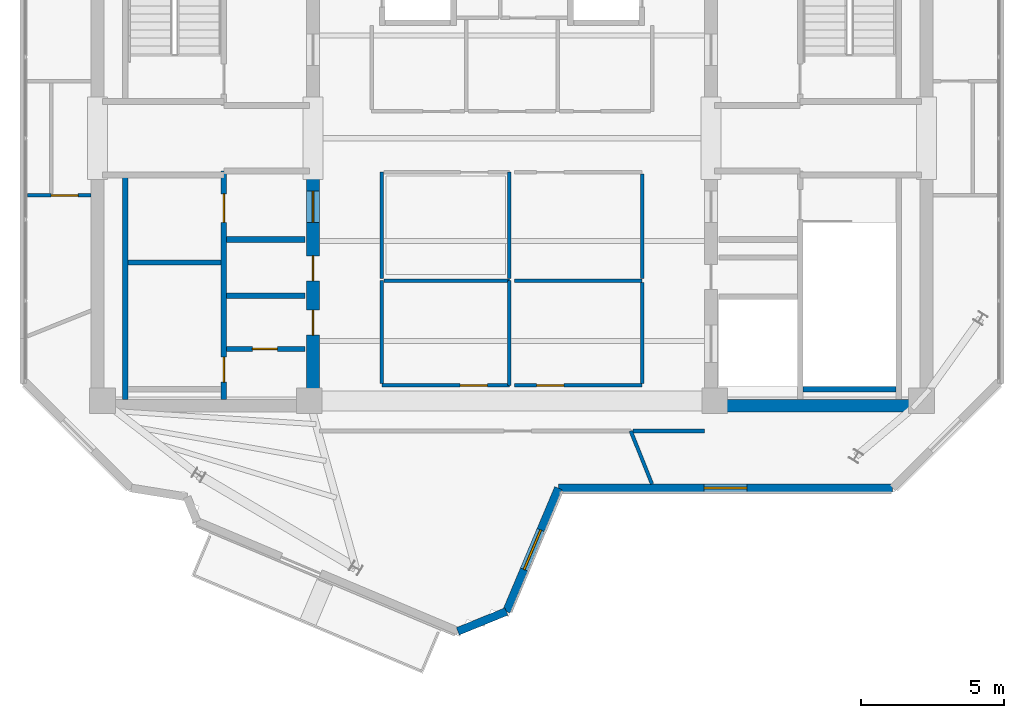
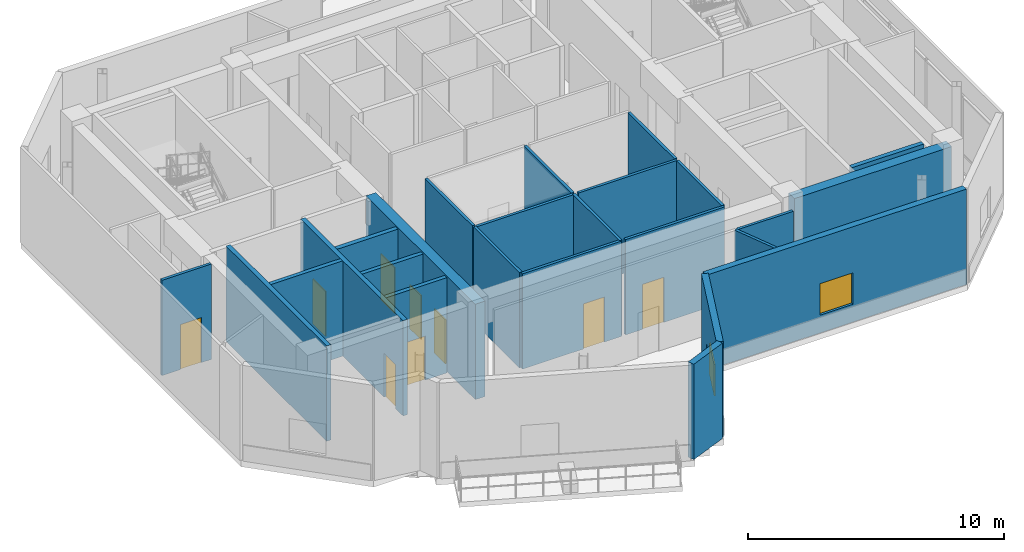
# One storey, part 6 of 11: 25 walls, 9 doors, 2 windows, 11 openings.
"""IFC4 building model written with IfcOpenShell, lengths in metres."""

from ifc_helpers import new_model, si_unit, direction, frame, frame_2d, origin, place, context, subcontext, project, spatial, rectangle, extrude, source, transform, mapped, material, layer, layer_set, type_object, element, fill, save


model = new_model("IFC4")

# Units and contexts
model_context = context("Model", 3, precision=1e-05, world=origin(), true_north=direction((0.0, 1.0)))
body_context = subcontext(model_context, "Body", "Model", "MODEL_VIEW")
ifc_project = project(units=[si_unit("LENGTHUNIT", "METRE"), si_unit("AREAUNIT", "SQUARE_METRE"), si_unit("VOLUMEUNIT", "CUBIC_METRE"), si_unit("PLANEANGLEUNIT", "RADIAN"), si_unit("MASSUNIT", "GRAM", prefix="KILO")], contexts=[model_context])

# Site, building, storey
site_placement = place(None, origin())
site = spatial("IfcSite", under=ifc_project, at=site_placement, CompositionType="ELEMENT")
building_placement = place(site_placement, origin())
building = spatial("IfcBuilding", under=site, at=building_placement, Name="Zahravan Cultural Tower", CompositionType="ELEMENT")
storey_placement = place(building_placement, frame((0.0, 0.0, 365.85009765625)))
storey = spatial("IfcBuildingStorey", under=building, at=storey_placement, Name="L89", CompositionType="ELEMENT", Elevation=365.85009765625)

# Wall, openings, doors
ifc_material_1 = material(Name="Concrete C50/60", Category="concrete")
ifc_layer_1 = layer(ifc_material_1, 0.449951171875)
ifc_layer_set_1 = layer_set([ifc_layer_1], Name="Concrete C50/60")
wall_type_1 = type_object("IfcWallType", Name="CW-SHEAR-450-C50", PredefinedType="SHEAR", material=ifc_layer_set_1)
wall_1_placement = place(storey_placement, frame((29.02490234375, 17.39990234375, 0.0), z_axis=(0.0, 0.0, 1.0), x_axis=(0.0, 1.0, 0.0)))
wall_1 = element("IfcWall", 1, at=wall_1_placement, inside=storey, type_object=wall_type_1, Name="L89 Core Shear Wall CW-W-ES-L89", PredefinedType="SHEAR", context=body_context, shape_type="SweptSolid", body=[
    extrude(rectangle(XDim=8.550048828125, YDim=0.449951171875, at=frame_2d((4.27490234375, 0.0))), origin(), (0.0, 0.0, 1.0), 4.5498046875),
])
opening_1_placement = place(wall_1_placement, frame((6.64990234375, 0.0, 0.0)))
opening_1 = element("IfcOpeningElement", 2, at=opening_1_placement, cuts=wall_1, Name="Opening D-L89-08", PredefinedType="OPENING", context=body_context, shape_type="SweptSolid", body=[
    extrude(rectangle(XDim=1.10009765625, YDim=2.199951171875, at=frame_2d((0.550048828125, 1.10009765625))), frame((0.0, 0.23486328125, 0.0), z_axis=(0.0, -1.0, 0.0), x_axis=(1.0, 0.0, 0.0)), (0.0, 0.0, 1.0), 0.469970703125),
])
opening_2_placement = place(wall_1_placement, frame((2.699951171875, 0.0, 0.0)))
opening_2 = element("IfcOpeningElement", 3, at=opening_2_placement, cuts=wall_1, Name="Opening D-L89-11", PredefinedType="OPENING", context=body_context, shape_type="SweptSolid", body=[
    extrude(rectangle(XDim=0.8798828125, YDim=2.10009765625, at=frame_2d((0.43994140625, 1.050048828125))), frame((0.0, 0.23486328125, 0.0), z_axis=(0.0, -1.0, 0.0), x_axis=(1.0, 0.0, 0.0)), (0.0, 0.0, 1.0), 0.469970703125),
])
opening_3_placement = place(wall_1_placement, frame((4.60009765625, 0.0, 0.0)))
opening_3 = element("IfcOpeningElement", 4, at=opening_3_placement, cuts=wall_1, Name="Opening D-L89-12", PredefinedType="OPENING", context=body_context, shape_type="SweptSolid", body=[
    extrude(rectangle(XDim=0.8798828125, YDim=2.10009765625, at=frame_2d((0.43994140625, 1.050048828125))), frame((0.0, 0.23486328125, 0.0), z_axis=(0.0, -1.0, 0.0), x_axis=(1.0, 0.0, 0.0)), (0.0, 0.0, 1.0), 0.469970703125),
])
ifc_material_2 = material(Name="Steel ASTM A572 Grade 50", Category="steel")
door_type_1 = type_object("IfcDoorType", Name="DR-LOBBY-1100", OperationType="NOTDEFINED", PredefinedType="DOOR", material=ifc_material_2)
shared_shape_1 = source(origin(), body_context, "Body", "SweptSolid", [
    extrude(rectangle(XDim=1.10009765625, YDim=2.199951171875, at=frame_2d((0.550048828125, 1.10009765625))), frame((0.0, 0.02490234375, 0.0), z_axis=(0.0, -1.0, 0.0), x_axis=(1.0, 0.0, 0.0)), (0.0, 0.0, 1.0), 0.050048828125),
])
door_1_placement = place(opening_1_placement, origin())
door_1 = element("IfcDoor", 5, at=door_1_placement, inside=storey, type_object=door_type_1, Name="L89 Door D-L89-08", OperationType="SINGLE_SWING_LEFT", OverallHeight=2.199951171875, OverallWidth=1.10009765625, PredefinedType="DOOR", context=body_context, shape_type="MappedRepresentation", body=[
    mapped(shared_shape_1, transform((0.0, 0.0, 0.0), x_axis=(1.0, 0.0, 0.0), y_axis=(0.0, 1.0, 0.0), z_axis=(0.0, 0.0, 1.0), scale=1.0)),
])
fill(opening_1, door_1)
door_type_2 = type_object("IfcDoorType", Name="DR-SVC-880", OperationType="NOTDEFINED", PredefinedType="DOOR", material=ifc_material_2)
shared_shape_2 = source(origin(), body_context, "Body", "SweptSolid", [
    extrude(rectangle(XDim=0.8798828125, YDim=2.10009765625, at=frame_2d((0.43994140625, 1.050048828125))), frame((0.0, 0.02490234375, 0.0), z_axis=(0.0, -1.0, 0.0), x_axis=(1.0, 0.0, 0.0)), (0.0, 0.0, 1.0), 0.050048828125),
])
door_2_placement = place(opening_2_placement, origin())
door_2 = element("IfcDoor", 6, at=door_2_placement, inside=storey, type_object=door_type_2, Name="L89 Door D-L89-11", OperationType="SINGLE_SWING_RIGHT", OverallHeight=2.10009765625, OverallWidth=0.8798828125, PredefinedType="DOOR", context=body_context, shape_type="MappedRepresentation", body=[
    mapped(shared_shape_2, transform((0.0, 0.0, 0.0), x_axis=(1.0, 0.0, 0.0), y_axis=(0.0, 1.0, 0.0), z_axis=(0.0, 0.0, 1.0), scale=1.0)),
])
fill(opening_2, door_2)
door_3_placement = place(opening_3_placement, origin())
door_3 = element("IfcDoor", 7, at=door_3_placement, inside=storey, type_object=door_type_2, Name="L89 Door D-L89-12", OperationType="SINGLE_SWING_LEFT", OverallHeight=2.10009765625, OverallWidth=0.8798828125, PredefinedType="DOOR", context=body_context, shape_type="MappedRepresentation", body=[
    mapped(shared_shape_2, transform((0.0, 0.0, 0.0), x_axis=(1.0, 0.0, 0.0), y_axis=(0.0, 1.0, 0.0), z_axis=(0.0, 0.0, 1.0), scale=1.0)),
])
fill(opening_3, door_3)

# Wall, opening, window
ifc_material_3 = material(Name="Precast concrete C40/50", Category="concrete")
ifc_layer_2 = layer(ifc_material_3, 0.280029296875)
ifc_layer_set_2 = layer_set([ifc_layer_2], Name="Precast concrete C40/50")
wall_type_2 = type_object("IfcWallType", Name="EW-TC-280", PredefinedType="SOLIDWALL", material=ifc_layer_set_2)
wall_2_placement = place(storey_placement, frame((49.342041015625, 14.739990234375, 0.0), z_axis=(0.0, 0.0, 1.0), x_axis=(-1.0, 0.0, 0.0)))
wall_2 = element("IfcWall", 8, at=wall_2_placement, inside=storey, type_object=wall_type_2, Name="L89 Exterior Masonry Frame Wall 08", PredefinedType="SOLIDWALL", context=body_context, shape_type="SweptSolid", body=[
    extrude(rectangle(XDim=11.715087890625, YDim=0.280029296875, at=frame_2d((5.857421875, 0.0))), origin(), (0.0, 0.0, 1.0), 4.5498046875),
])
opening_4_placement = place(wall_2_placement, frame((5.10791015625, 0.0, 0.85009765625)))
opening_4 = element("IfcOpeningElement", 9, at=opening_4_placement, cuts=wall_2, Name="Opening WN-03", PredefinedType="OPENING", context=body_context, shape_type="SweptSolid", body=[
    extrude(rectangle(XDim=1.5, YDim=1.5, at=frame_2d((0.75, 0.75))), frame((0.0, 0.14990234375, 0.0), z_axis=(0.0, -1.0, 0.0), x_axis=(1.0, 0.0, 0.0)), (0.0, 0.0, 1.0), 0.300048828125),
])
ifc_material_4 = material(Name="Low-E solar-control double glazing", Category="glass")
window_type = type_object("IfcWindowType", Name="WN-REC-1500X1500", PartitioningType="SINGLE_PANEL", PredefinedType="WINDOW", material=ifc_material_4)
shared_shape_3 = source(origin(), body_context, "Body", "SweptSolid", [
    extrude(rectangle(XDim=1.5, YDim=1.5, at=frame_2d((0.75, 0.75))), frame((0.0, 0.030029296875, 0.0), z_axis=(0.0, -1.0, 0.0), x_axis=(1.0, 0.0, 0.0)), (0.0, 0.0, 1.0), 0.06005859375),
])
window_1_placement = place(opening_4_placement, origin())
window_1 = element("IfcWindow", 10, at=window_1_placement, inside=storey, type_object=window_type, Name="L89 Recessed Solar Window 04", OverallHeight=1.5, OverallWidth=1.5, PartitioningType="SINGLE_PANEL", PredefinedType="WINDOW", context=body_context, shape_type="MappedRepresentation", body=[
    mapped(shared_shape_3, transform((0.0, 0.0, 0.0), x_axis=(1.0, 0.0, 0.0), y_axis=(0.0, 1.0, 0.0), z_axis=(0.0, 0.0, 1.0), scale=1.0)),
])
fill(opening_4, window_1)

wall_3_placement = place(storey_placement, frame((37.626953125, 14.739990234375, 0.0), z_axis=(0.0, 0.0, 1.0), x_axis=(-0.388331368366, -0.921519803554, 0.0)))
wall_3 = element("IfcWall", 11, at=wall_3_placement, inside=storey, type_object=wall_type_2, Name="L89 Exterior Masonry Frame Wall 09", PredefinedType="SOLIDWALL", context=body_context, shape_type="SweptSolid", body=[
    extrude(rectangle(XDim=4.69384765625, YDim=0.280029296875, at=frame_2d((2.346923828125, 0.0))), origin(), (0.0, 0.0, 1.0), 4.5498046875),
])
opening_5_placement = place(wall_3_placement, frame((1.596923828125, 0.0, 0.85009765625)))
opening_5 = element("IfcOpeningElement", 12, at=opening_5_placement, cuts=wall_3, Name="Opening WN-03", PredefinedType="OPENING", context=body_context, shape_type="SweptSolid", body=[
    extrude(rectangle(XDim=1.5, YDim=1.5, at=frame_2d((0.75, 0.75))), frame((0.0, 0.14990234375, 0.0), z_axis=(0.0, -1.0, 0.0), x_axis=(1.0, 0.0, 0.0)), (0.0, 0.0, 1.0), 0.300048828125),
])
window_2_placement = place(opening_5_placement, origin())
window_2 = element("IfcWindow", 13, at=window_2_placement, inside=storey, type_object=window_type, Name="L89 Recessed Solar Window 05", OverallHeight=1.5, OverallWidth=1.5, PartitioningType="SINGLE_PANEL", PredefinedType="WINDOW", context=body_context, shape_type="MappedRepresentation", body=[
    mapped(shared_shape_3, transform((0.0, 0.0, 0.0), x_axis=(1.0, 0.0, 0.0), y_axis=(0.0, 1.0, 0.0), z_axis=(0.0, 0.0, 1.0), scale=1.0)),
])
fill(opening_5, window_2)

# Wall, opening, door
ifc_material_5 = material(Name="Gypsum plasterboard partition")
ifc_layer_3 = layer(ifc_material_5, 0.179931640625)
ifc_layer_set_3 = layer_set([ifc_layer_3], Name="Gypsum plasterboard partition")
wall_type_3 = type_object("IfcWallType", Name="W-COMP-180", PredefinedType="PARTITIONING", material=ifc_layer_set_3)
wall_4_placement = place(storey_placement, frame((26.0, 19.6201171875, 0.0), z_axis=(0.0, 0.0, 1.0), x_axis=(1.0, 0.0, 0.0)))
wall_4 = element("IfcWall", 14, at=wall_4_placement, inside=storey, type_object=wall_type_3, Name="L89 Interior Wall 027", PredefinedType="PARTITIONING", context=body_context, shape_type="SweptSolid", body=[
    extrude(rectangle(XDim=2.75, YDim=0.179931640625, at=frame_2d((1.375, 0.0))), origin(), (0.0, 0.0, 1.0), 4.5498046875),
])
opening_6_placement = place(wall_4_placement, frame((0.89990234375, 0.0, 0.0)))
opening_6 = element("IfcOpeningElement", 15, at=opening_6_placement, cuts=wall_4, Name="Opening D-L89-10", PredefinedType="OPENING", context=body_context, shape_type="SweptSolid", body=[
    extrude(rectangle(XDim=0.8798828125, YDim=2.10009765625, at=frame_2d((0.43994140625, 1.050048828125))), frame((0.0, 0.099853515625, 0.0), z_axis=(0.0, -1.0, 0.0), x_axis=(1.0, 0.0, 0.0)), (0.0, 0.0, 1.0), 0.199951171875),
])
door_4_placement = place(opening_6_placement, origin())
door_4 = element("IfcDoor", 16, at=door_4_placement, inside=storey, type_object=door_type_2, Name="L89 Door D-L89-10", OperationType="SINGLE_SWING_LEFT", OverallHeight=2.10009765625, OverallWidth=0.8798828125, PredefinedType="DOOR", context=body_context, shape_type="MappedRepresentation", body=[
    mapped(shared_shape_2, transform((0.0, 0.0, 0.0), x_axis=(1.0, 0.0, 0.0), y_axis=(0.0, 1.0, 0.0), z_axis=(0.0, 0.0, 1.0), scale=1.0)),
])
fill(opening_6, door_4)

ifc_layer_4 = layer(ifc_material_5, 0.125)
ifc_layer_set_4 = layer_set([ifc_layer_4], Name="Gypsum plasterboard partition")
wall_type_4 = type_object("IfcWallType", Name="W-PART-125", PredefinedType="PARTITIONING", material=ifc_layer_set_4)
wall_5_placement = place(storey_placement, frame((35.909912109375, 18.340087890625, 0.0), z_axis=(0.0, 0.0, 1.0), x_axis=(-1.0, 0.0, 0.0)))
wall_5 = element("IfcWall", 17, at=wall_5_placement, inside=storey, type_object=wall_type_4, Name="L89 Interior Wall 058", PredefinedType="PARTITIONING", context=body_context, shape_type="SweptSolid", body=[
    extrude(rectangle(XDim=4.469970703125, YDim=0.125, at=frame_2d((2.23486328125, 0.0))), origin(), (0.0, 0.0, 1.0), 4.5498046875),
])
opening_7_placement = place(wall_5_placement, frame((0.7744140625, 0.0, 0.0)))
opening_7 = element("IfcOpeningElement", 18, at=opening_7_placement, cuts=wall_5, Name="Opening D-L89-14", PredefinedType="OPENING", context=body_context, shape_type="SweptSolid", body=[
    extrude(rectangle(XDim=0.949951171875, YDim=2.14990234375, at=frame_2d((0.47509765625, 1.074951171875))), frame((0.0, 0.072509765625, 0.0), z_axis=(0.0, -1.0, 0.0), x_axis=(1.0, 0.0, 0.0)), (0.0, 0.0, 1.0), 0.14501953125),
])
ifc_material_6 = material(Name="Anodised bronze-aluminium mullion", Category="aluminium")
door_type_3 = type_object("IfcDoorType", Name="DR-ROOM-950", OperationType="NOTDEFINED", PredefinedType="DOOR", material=ifc_material_6)
shared_shape_4 = source(origin(), body_context, "Body", "SweptSolid", [
    extrude(rectangle(XDim=0.949951171875, YDim=2.14990234375, at=frame_2d((0.47509765625, 1.074951171875))), frame((0.0, 0.02490234375, 0.0), z_axis=(0.0, -1.0, 0.0), x_axis=(1.0, 0.0, 0.0)), (0.0, 0.0, 1.0), 0.050048828125),
])
door_5_placement = place(opening_7_placement, origin())
door_5 = element("IfcDoor", 19, at=door_5_placement, inside=storey, type_object=door_type_3, Name="L89 Door D-L89-14", OperationType="SINGLE_SWING_LEFT", OverallHeight=2.14990234375, OverallWidth=0.949951171875, PredefinedType="DOOR", context=body_context, shape_type="MappedRepresentation", body=[
    mapped(shared_shape_4, transform((0.0, 0.0, 0.0), x_axis=(1.0, 0.0, 0.0), y_axis=(0.0, 1.0, 0.0), z_axis=(0.0, 0.0, 1.0), scale=1.0)),
])
fill(opening_7, door_5)

wall_6_placement = place(storey_placement, frame((40.56005859375, 18.340087890625, 0.0), z_axis=(0.0, 0.0, 1.0), x_axis=(-1.0, 0.0, 0.0)))
wall_6 = element("IfcWall", 20, at=wall_6_placement, inside=storey, type_object=wall_type_4, Name="L89 Interior Wall 062", PredefinedType="PARTITIONING", context=body_context, shape_type="SweptSolid", body=[
    extrude(rectangle(XDim=4.469970703125, YDim=0.125, at=frame_2d((2.23486328125, 0.0))), origin(), (0.0, 0.0, 1.0), 4.5498046875),
])
opening_8_placement = place(wall_6_placement, frame((2.74560546875, 0.0, 0.0)))
opening_8 = element("IfcOpeningElement", 21, at=opening_8_placement, cuts=wall_6, Name="Opening D-L89-16", PredefinedType="OPENING", context=body_context, shape_type="SweptSolid", body=[
    extrude(rectangle(XDim=0.949951171875, YDim=2.14990234375, at=frame_2d((0.47509765625, 1.074951171875))), frame((0.0, 0.072509765625, 0.0), z_axis=(0.0, -1.0, 0.0), x_axis=(1.0, 0.0, 0.0)), (0.0, 0.0, 1.0), 0.14501953125),
])
door_6_placement = place(opening_8_placement, origin())
door_6 = element("IfcDoor", 22, at=door_6_placement, inside=storey, type_object=door_type_3, Name="L89 Door D-L89-16", OperationType="SINGLE_SWING_LEFT", OverallHeight=2.14990234375, OverallWidth=0.949951171875, PredefinedType="DOOR", context=body_context, shape_type="MappedRepresentation", body=[
    mapped(shared_shape_4, transform((0.0, 0.0, 0.0), x_axis=(1.0, 0.0, 0.0), y_axis=(0.0, 1.0, 0.0), z_axis=(0.0, 0.0, 1.0), scale=1.0)),
])
fill(opening_8, door_6)

wall_7_placement = place(storey_placement, frame((19.014892578125, 25.001708984375, 0.0), z_axis=(0.0, 0.0, 1.0), x_axis=(0.999999706405, -0.0007662833, 0.0)))
wall_7 = element("IfcWall", 23, at=wall_7_placement, inside=storey, type_object=wall_type_4, Name="L89 Interior Wall 070", PredefinedType="PARTITIONING", context=body_context, shape_type="SweptSolid", body=[
    extrude(rectangle(XDim=2.230224609375, YDim=0.125, at=frame_2d((1.115234375, 0.0))), origin(), (0.0, 0.0, 1.0), 4.5498046875),
])
opening_9_placement = place(wall_7_placement, frame((0.83203125, 0.0, 0.0)))
opening_9 = element("IfcOpeningElement", 24, at=opening_9_placement, cuts=wall_7, Name="Opening D-L89-25", PredefinedType="OPENING", context=body_context, shape_type="SweptSolid", body=[
    extrude(rectangle(XDim=0.949951171875, YDim=2.14990234375, at=frame_2d((0.47509765625, 1.074951171875))), frame((0.0, 0.072509765625, 0.0), z_axis=(0.0, -1.0, 0.0), x_axis=(1.0, 0.0, 0.0)), (0.0, 0.0, 1.0), 0.14501953125),
])
door_7_placement = place(opening_9_placement, origin())
door_7 = element("IfcDoor", 25, at=door_7_placement, inside=storey, type_object=door_type_3, Name="L89 Door D-L89-25", OperationType="SINGLE_SWING_RIGHT", OverallHeight=2.14990234375, OverallWidth=0.949951171875, PredefinedType="DOOR", context=body_context, shape_type="MappedRepresentation", body=[
    mapped(shared_shape_4, transform((0.0, 0.0, 0.0), x_axis=(1.0, 0.0, 0.0), y_axis=(0.0, 1.0, 0.0), z_axis=(0.0, 0.0, 1.0), scale=1.0)),
])
fill(opening_9, door_7)

# Wall, openings, doors
ifc_material_7 = material(Name="Concrete C45/55", Category="concrete")
ifc_layer_5 = layer(ifc_material_7, 0.199951171875)
ifc_layer_set_5 = layer_set([ifc_layer_5], Name="Concrete C45/55")
wall_type_5 = type_object("IfcWallType", Name="W-SHAFT-200", PredefinedType="SOLIDWALL", material=ifc_layer_set_5)
wall_8_placement = place(storey_placement, frame((25.89990234375, 17.85009765625, 0.0), z_axis=(0.0, 0.0, 1.0), x_axis=(0.0, 1.0, 0.0)))
wall_8 = element("IfcWall", 26, at=wall_8_placement, inside=storey, type_object=wall_type_5, Name="L89 Interior Wall 005", PredefinedType="SOLIDWALL", context=body_context, shape_type="SweptSolid", body=[
    extrude(rectangle(XDim=8.0, YDim=0.199951171875, at=frame_2d((4.0, 0.0))), origin(), (0.0, 0.0, 1.0), 4.5498046875),
])
opening_10_placement = place(wall_8_placement, frame((6.199951171875, 0.0, 0.0)))
opening_10 = element("IfcOpeningElement", 27, at=opening_10_placement, cuts=wall_8, Name="Opening D-L89-04", PredefinedType="OPENING", context=body_context, shape_type="SweptSolid", body=[
    extrude(rectangle(XDim=1.0, YDim=2.14990234375, at=frame_2d((0.5, 1.074951171875))), frame((0.0, 0.10986328125, 0.0), z_axis=(0.0, -1.0, 0.0), x_axis=(1.0, 0.0, 0.0)), (0.0, 0.0, 1.0), 0.219970703125),
])
opening_11_placement = place(wall_8_placement, frame((0.60009765625, 0.0, 0.0)))
opening_11 = element("IfcOpeningElement", 28, at=opening_11_placement, cuts=wall_8, Name="Opening D-L89-05", PredefinedType="OPENING", context=body_context, shape_type="SweptSolid", body=[
    extrude(rectangle(XDim=0.8798828125, YDim=2.10009765625, at=frame_2d((0.43994140625, 1.050048828125))), frame((0.0, 0.10986328125, 0.0), z_axis=(0.0, -1.0, 0.0), x_axis=(1.0, 0.0, 0.0)), (0.0, 0.0, 1.0), 0.219970703125),
])
door_8_placement = place(opening_11_placement, origin())
door_8 = element("IfcDoor", 29, at=door_8_placement, inside=storey, type_object=door_type_2, Name="L89 Door D-L89-05", OperationType="SINGLE_SWING_RIGHT", OverallHeight=2.10009765625, OverallWidth=0.8798828125, PredefinedType="DOOR", context=body_context, shape_type="MappedRepresentation", body=[
    mapped(shared_shape_2, transform((0.0, 0.0, 0.0), x_axis=(1.0, 0.0, 0.0), y_axis=(0.0, 1.0, 0.0), z_axis=(0.0, 0.0, 1.0), scale=1.0)),
])
fill(opening_11, door_8)
door_type_4 = type_object("IfcDoorType", Name="DR-COMP-1000", OperationType="NOTDEFINED", PredefinedType="DOOR", material=ifc_material_2)
shared_shape_5 = source(origin(), body_context, "Body", "SweptSolid", [
    extrude(rectangle(XDim=1.0, YDim=2.14990234375, at=frame_2d((0.5, 1.074951171875))), frame((0.0, 0.02490234375, 0.0), z_axis=(0.0, -1.0, 0.0), x_axis=(1.0, 0.0, 0.0)), (0.0, 0.0, 1.0), 0.050048828125),
])
door_9_placement = place(opening_10_placement, origin())
door_9 = element("IfcDoor", 30, at=door_9_placement, inside=storey, type_object=door_type_4, Name="L89 Door D-L89-04", OperationType="SINGLE_SWING_LEFT", OverallHeight=2.14990234375, OverallWidth=1.0, PredefinedType="DOOR", context=body_context, shape_type="MappedRepresentation", body=[
    mapped(shared_shape_5, transform((0.0, 0.0, 0.0), x_axis=(1.0, 0.0, 0.0), y_axis=(0.0, 1.0, 0.0), z_axis=(0.0, 0.0, 1.0), scale=1.0)),
])
fill(opening_10, door_9)

# Walls
shared_shape_6 = source(origin(), body_context, "Body", "SweptSolid", [
    extrude(rectangle(XDim=7.10009765625, YDim=0.449951171875, at=frame_2d((3.550048828125, 0.0))), origin(), (0.0, 0.0, 1.0), 4.5498046875),
])
wall_9_placement = place(storey_placement, frame((43.199951171875, 17.625, 0.0), z_axis=(0.0, 0.0, 1.0), x_axis=(1.0, 0.0, 0.0)))
element("IfcWall", 31, at=wall_9_placement, inside=storey, type_object=wall_type_1, Name="L89 Core Shear Wall CW-E-S-L89", PredefinedType="SHEAR", context=body_context, shape_type="MappedRepresentation", body=[
    mapped(shared_shape_6, transform((0.0, 0.0, 0.0), x_axis=(1.0, 0.0, 0.0), y_axis=(0.0, 1.0, 0.0), z_axis=(0.0, 0.0, 1.0), scale=1.0)),
])
shared_shape_7 = source(origin(), body_context, "Body", "SweptSolid", [
    extrude(rectangle(XDim=1.838623046875, YDim=0.280029296875, at=frame_2d((0.91943359375, 0.0))), origin(), (0.0, 0.0, 1.0), 4.5498046875),
])
wall_10_placement = place(storey_placement, frame((35.80419921875, 10.41455078125, 0.0), z_axis=(0.0, 0.0, 1.0), x_axis=(-0.926216039781, -0.376993166586, 0.0)))
element("IfcWall", 32, at=wall_10_placement, inside=storey, type_object=wall_type_2, Name="L89 Exterior Masonry Frame Wall 10", PredefinedType="SOLIDWALL", context=body_context, shape_type="MappedRepresentation", body=[
    mapped(shared_shape_7, transform((0.0, 0.0, 0.0), x_axis=(1.0, 0.0, 0.0), y_axis=(0.0, 1.0, 0.0), z_axis=(0.0, 0.0, 1.0), scale=1.0)),
])
shared_shape_8 = source(origin(), body_context, "Body", "SweptSolid", [
    extrude(rectangle(XDim=7.869873046875, YDim=0.199951171875, at=frame_2d((3.93505859375, 0.0))), origin(), (0.0, 0.0, 1.0), 4.5498046875),
])
wall_11_placement = place(storey_placement, frame((22.449951171875, 17.85009765625, 0.0), z_axis=(0.0, 0.0, 1.0), x_axis=(0.0, 1.0, 0.0)))
element("IfcWall", 33, at=wall_11_placement, inside=storey, type_object=wall_type_5, Name="L89 Interior Wall 001", PredefinedType="SOLIDWALL", context=body_context, shape_type="MappedRepresentation", body=[
    mapped(shared_shape_8, transform((0.0, 0.0, 0.0), x_axis=(1.0, 0.0, 0.0), y_axis=(0.0, 1.0, 0.0), z_axis=(0.0, 0.0, 1.0), scale=1.0)),
])
shared_shape_9 = source(origin(), body_context, "Body", "SweptSolid", [
    extrude(rectangle(XDim=3.25, YDim=0.199951171875, at=frame_2d((1.625, 0.0))), origin(), (0.0, 0.0, 1.0), 4.5498046875),
])
wall_12_placement = place(storey_placement, frame((46.199951171875, 18.199951171875, 0.0), z_axis=(0.0, 0.0, 1.0), x_axis=(1.0, 0.0, 0.0)))
element("IfcWall", 34, at=wall_12_placement, inside=storey, type_object=wall_type_5, Name="L89 Interior Wall 020", PredefinedType="SOLIDWALL", context=body_context, shape_type="MappedRepresentation", body=[
    mapped(shared_shape_9, transform((0.0, 0.0, 0.0), x_axis=(1.0, 0.0, 0.0), y_axis=(0.0, 1.0, 0.0), z_axis=(0.0, 0.0, 1.0), scale=1.0)),
])
shared_shape_10 = source(origin(), body_context, "Body", "SweptSolid", [
    extrude(rectangle(XDim=3.25, YDim=0.179931640625, at=frame_2d((1.625, 0.0))), origin(), (0.0, 0.0, 1.0), 4.5498046875),
])
wall_13_placement = place(storey_placement, frame((22.550048828125, 22.64990234375, 0.0), z_axis=(0.0, 0.0, 1.0), x_axis=(1.0, 0.0, 0.0)))
element("IfcWall", 35, at=wall_13_placement, inside=storey, type_object=wall_type_3, Name="L89 Interior Wall 021", PredefinedType="PARTITIONING", context=body_context, shape_type="MappedRepresentation", body=[
    mapped(shared_shape_10, transform((0.0, 0.0, 0.0), x_axis=(1.0, 0.0, 0.0), y_axis=(0.0, 1.0, 0.0), z_axis=(0.0, 0.0, 1.0), scale=1.0)),
])
shared_shape_11 = source(origin(), body_context, "Body", "SweptSolid", [
    extrude(rectangle(XDim=2.75, YDim=0.199951171875, at=frame_2d((1.375, 0.0))), origin(), (0.0, 0.0, 1.0), 4.5498046875),
])
wall_14_placement = place(storey_placement, frame((26.0, 23.449951171875, 0.0), z_axis=(0.0, 0.0, 1.0), x_axis=(1.0, 0.0, 0.0)))
element("IfcWall", 36, at=wall_14_placement, inside=storey, type_object=wall_type_5, Name="L89 Interior Wall 024", PredefinedType="SOLIDWALL", context=body_context, shape_type="MappedRepresentation", body=[
    mapped(shared_shape_11, transform((0.0, 0.0, 0.0), x_axis=(1.0, 0.0, 0.0), y_axis=(0.0, 1.0, 0.0), z_axis=(0.0, 0.0, 1.0), scale=1.0)),
])
shared_shape_12 = source(origin(), body_context, "Body", "SweptSolid", [
    extrude(rectangle(XDim=2.75, YDim=0.179931640625, at=frame_2d((1.375, 0.0))), origin(), (0.0, 0.0, 1.0), 4.5498046875),
])
wall_15_placement = place(storey_placement, frame((26.0, 21.47998046875, 0.0), z_axis=(0.0, 0.0, 1.0), x_axis=(1.0, 0.0, 0.0)))
element("IfcWall", 37, at=wall_15_placement, inside=storey, type_object=wall_type_3, Name="L89 Interior Wall 028", PredefinedType="PARTITIONING", context=body_context, shape_type="MappedRepresentation", body=[
    mapped(shared_shape_12, transform((0.0, 0.0, 0.0), x_axis=(1.0, 0.0, 0.0), y_axis=(0.0, 1.0, 0.0), z_axis=(0.0, 0.0, 1.0), scale=1.0)),
])
shared_shape_13 = source(origin(), body_context, "Body", "SweptSolid", [
    extrude(rectangle(XDim=3.6025390625, YDim=0.125, at=frame_2d((1.80126953125, 0.0))), origin(), (0.0, 0.0, 1.0), 4.5498046875),
])
wall_16_placement = place(storey_placement, frame((31.43994140625, 18.407470703125, 0.0), z_axis=(0.0, 0.0, 1.0), x_axis=(0.0, 1.0, 0.0)))
element("IfcWall", 38, at=wall_16_placement, inside=storey, type_object=wall_type_4, Name="L89 Interior Wall 059", PredefinedType="PARTITIONING", context=body_context, shape_type="MappedRepresentation", body=[
    mapped(shared_shape_13, transform((0.0, 0.0, 0.0), x_axis=(1.0, 0.0, 0.0), y_axis=(0.0, 1.0, 0.0), z_axis=(0.0, 0.0, 1.0), scale=1.0)),
])
shared_shape_14 = source(origin(), body_context, "Body", "SweptSolid", [
    extrude(rectangle(XDim=4.40234375, YDim=0.125, at=frame_2d((2.201171875, 0.0))), origin(), (0.0, 0.0, 1.0), 4.5498046875),
])
wall_17_placement = place(storey_placement, frame((31.507568359375, 22.010009765625, 0.0), z_axis=(0.0, 0.0, 1.0), x_axis=(1.0, 0.0, 0.0)))
element("IfcWall", 39, at=wall_17_placement, inside=storey, type_object=wall_type_4, Name="L89 Interior Wall 060", PredefinedType="PARTITIONING", context=body_context, shape_type="MappedRepresentation", body=[
    mapped(shared_shape_14, transform((0.0, 0.0, 0.0), x_axis=(1.0, 0.0, 0.0), y_axis=(0.0, 1.0, 0.0), z_axis=(0.0, 0.0, 1.0), scale=1.0)),
])
shared_shape_15 = source(origin(), body_context, "Body", "SweptSolid", [
    extrude(rectangle(XDim=3.669921875, YDim=0.125, at=frame_2d((1.8349609375, 0.0))), origin(), (0.0, 0.0, 1.0), 4.5498046875),
])
wall_18_placement = place(storey_placement, frame((35.909912109375, 22.010009765625, 0.0), z_axis=(0.0, 0.0, 1.0), x_axis=(0.0, -1.0, 0.0)))
element("IfcWall", 40, at=wall_18_placement, inside=storey, type_object=wall_type_4, Name="L89 Interior Wall 061", PredefinedType="PARTITIONING", context=body_context, shape_type="MappedRepresentation", body=[
    mapped(shared_shape_15, transform((0.0, 0.0, 0.0), x_axis=(1.0, 0.0, 0.0), y_axis=(0.0, 1.0, 0.0), z_axis=(0.0, 0.0, 1.0), scale=1.0)),
])
shared_shape_16 = source(origin(), body_context, "Body", "SweptSolid", [
    extrude(rectangle(XDim=4.469970703125, YDim=0.125, at=frame_2d((2.23486328125, 0.0))), origin(), (0.0, 0.0, 1.0), 4.5498046875),
])
wall_19_placement = place(storey_placement, frame((36.090087890625, 22.010009765625, 0.0), z_axis=(0.0, 0.0, 1.0), x_axis=(1.0, 0.0, 0.0)))
element("IfcWall", 41, at=wall_19_placement, inside=storey, type_object=wall_type_4, Name="L89 Interior Wall 063", PredefinedType="PARTITIONING", context=body_context, shape_type="MappedRepresentation", body=[
    mapped(shared_shape_16, transform((0.0, 0.0, 0.0), x_axis=(1.0, 0.0, 0.0), y_axis=(0.0, 1.0, 0.0), z_axis=(0.0, 0.0, 1.0), scale=1.0)),
])
shared_shape_17 = source(origin(), body_context, "Body", "SweptSolid", [
    extrude(rectangle(XDim=3.534912109375, YDim=0.125, at=frame_2d((1.767578125, 0.0))), origin(), (0.0, 0.0, 1.0), 4.5498046875),
])
wall_20_placement = place(storey_placement, frame((40.56005859375, 21.9423828125, 0.0), z_axis=(0.0, 0.0, 1.0), x_axis=(0.0, -1.0, 0.0)))
element("IfcWall", 42, at=wall_20_placement, inside=storey, type_object=wall_type_4, Name="L89 Interior Wall 064", PredefinedType="PARTITIONING", context=body_context, shape_type="MappedRepresentation", body=[
    mapped(shared_shape_17, transform((0.0, 0.0, 0.0), x_axis=(1.0, 0.0, 0.0), y_axis=(0.0, 1.0, 0.0), z_axis=(0.0, 0.0, 1.0), scale=1.0)),
])
shared_shape_18 = source(origin(), body_context, "Body", "SweptSolid", [
    extrude(rectangle(XDim=3.719970703125, YDim=0.125, at=frame_2d((1.85986328125, 0.0))), origin(), (0.0, 0.0, 1.0), 4.5498046875),
])
for number, where, z_axis, x_axis, name in (
    (43, (31.43994140625, 22.090087890625, 0.0), (0.0, 0.0, 1.0), (0.0, 1.0, 0.0), "L89 Interior Wall 065"),
    (44, (35.909912109375, 25.81005859375, 0.0), (0.0, 0.0, 1.0), (0.0, -1.0, 0.0), "L89 Interior Wall 067"),
):
    element("IfcWall", number, at=place(storey_placement, frame(where, z_axis=z_axis, x_axis=x_axis)), inside=storey, type_object=wall_type_4, Name=name, PredefinedType="PARTITIONING", context=body_context, shape_type="MappedRepresentation", body=[
        mapped(shared_shape_18, transform((0.0, 0.0, 0.0), x_axis=(1.0, 0.0, 0.0), y_axis=(0.0, 1.0, 0.0), z_axis=(0.0, 0.0, 1.0), scale=1.0)),
    ])
shared_shape_19 = source(origin(), body_context, "Body", "SweptSolid", [
    extrude(rectangle(XDim=3.65234375, YDim=0.125, at=frame_2d((1.826171875, 0.0))), origin(), (0.0, 0.0, 1.0), 4.5498046875),
])
wall_21_placement = place(storey_placement, frame((40.56005859375, 25.742431640625, 0.0), z_axis=(0.0, 0.0, 1.0), x_axis=(0.0, -1.0, 0.0)))
element("IfcWall", 45, at=wall_21_placement, inside=storey, type_object=wall_type_4, Name="L89 Interior Wall 069", PredefinedType="PARTITIONING", context=body_context, shape_type="MappedRepresentation", body=[
    mapped(shared_shape_19, transform((0.0, 0.0, 0.0), x_axis=(1.0, 0.0, 0.0), y_axis=(0.0, 1.0, 0.0), z_axis=(0.0, 0.0, 1.0), scale=1.0)),
])
shared_shape_20 = source(origin(), body_context, "Body", "SweptSolid", [
    extrude(rectangle(XDim=1.9990234375, YDim=0.125, at=frame_2d((0.99951171875, 0.0))), origin(), (0.0, 0.0, 1.0), 4.5498046875),
])
wall_22_placement = place(storey_placement, frame((40.90673828125, 14.885009765625, 0.0), z_axis=(0.0, 0.0, 1.0), x_axis=(-0.372632747826, 0.927978898061, 0.0)))
element("IfcWall", 46, at=wall_22_placement, inside=storey, type_object=wall_type_4, Name="L89 Interior Wall 077", PredefinedType="PARTITIONING", context=body_context, shape_type="MappedRepresentation", body=[
    mapped(shared_shape_20, transform((0.0, 0.0, 0.0), x_axis=(1.0, 0.0, 0.0), y_axis=(0.0, 1.0, 0.0), z_axis=(0.0, 0.0, 1.0), scale=1.0)),
])
shared_shape_21 = source(origin(), body_context, "Body", "SweptSolid", [
    extrude(rectangle(XDim=2.511962890625, YDim=0.125, at=frame_2d((1.255859375, 0.0))), origin(), (0.0, 0.0, 1.0), 4.5498046875),
])
wall_23_placement = place(storey_placement, frame((40.234619140625, 16.739990234375, 0.0), z_axis=(0.0, 0.0, 1.0), x_axis=(0.999999881923, 0.000485955818, 0.0)))
element("IfcWall", 47, at=wall_23_placement, inside=storey, type_object=wall_type_4, Name="L89 Interior Wall 078", PredefinedType="PARTITIONING", context=body_context, shape_type="MappedRepresentation", body=[
    mapped(shared_shape_21, transform((0.0, 0.0, 0.0), x_axis=(1.0, 0.0, 0.0), y_axis=(0.0, 1.0, 0.0), z_axis=(0.0, 0.0, 1.0), scale=1.0)),
])

save(model, "model.ifc")
